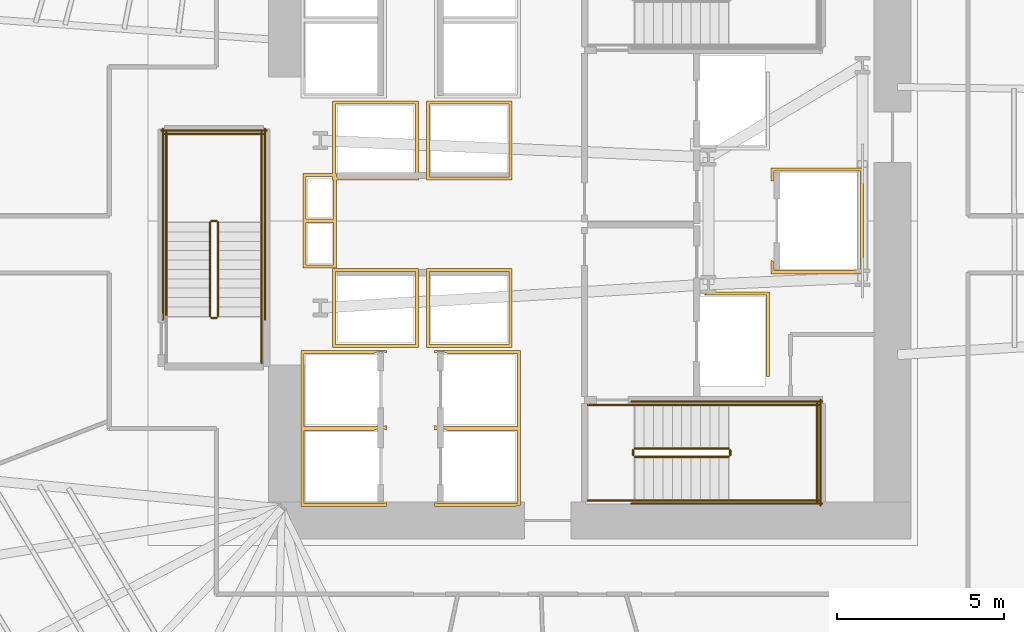
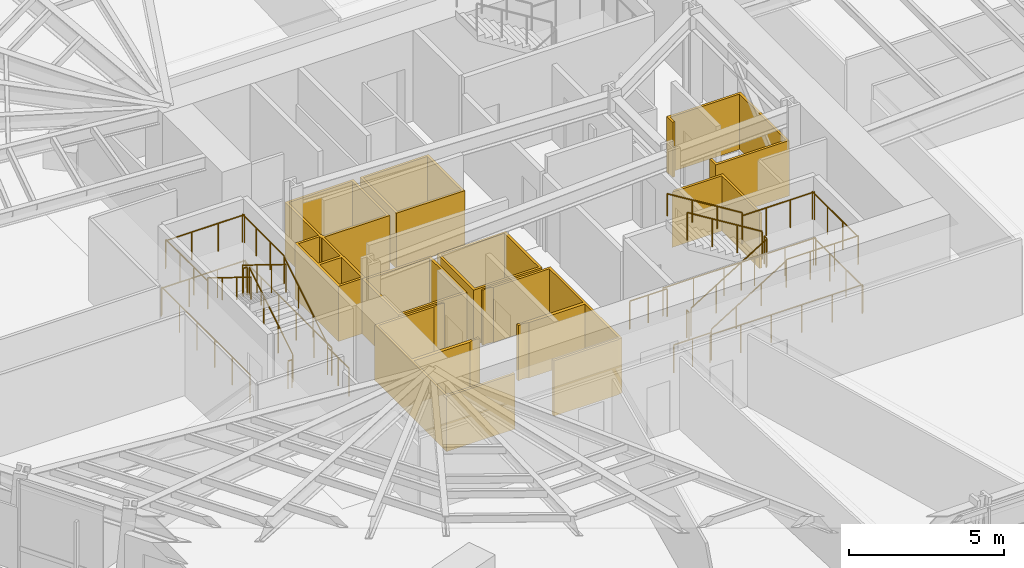
# One storey, part 13 of 18: 27 railings, 8 coverings.
"""IFC4 building model written with IfcOpenShell, lengths in metres."""

from ifc_helpers import new_model, si_unit, direction, frame, origin, origin_2d, place, context, subcontext, project, spatial, polyline, circle, outline, extrude, material, layer, layer_set, type_object, element, save


model = new_model("IFC4")

# Units and contexts
model_context = context("Model", 3, precision=1e-05, world=origin(), true_north=direction((0.0, 1.0)))
body_context = subcontext(model_context, "Body", "Model", "MODEL_VIEW")
ifc_project = project(units=[si_unit("LENGTHUNIT", "METRE"), si_unit("AREAUNIT", "SQUARE_METRE"), si_unit("VOLUMEUNIT", "CUBIC_METRE"), si_unit("PLANEANGLEUNIT", "RADIAN"), si_unit("MASSUNIT", "GRAM", prefix="KILO")], contexts=[model_context])

# Site, building, storey
site_placement = place(None, origin())
site = spatial("IfcSite", under=ifc_project, at=site_placement, CompositionType="ELEMENT")
building_placement = place(site_placement, origin())
building = spatial("IfcBuilding", under=site, at=building_placement, Name="Valkerne Bourse Tower", CompositionType="ELEMENT")
storey_placement = place(building_placement, frame((0.0, 0.0, 24.0)))
storey = spatial("IfcBuildingStorey", under=building, at=storey_placement, Name="L05", CompositionType="ELEMENT", Elevation=24.0)

# Coverings
ifc_material_1 = material(Name="Gypsum Shaftwall Liner Board", Category="gypsum")
ifc_layer = layer(ifc_material_1, 0.080078125)
ifc_layer_set = layer_set([ifc_layer], Name="Gypsum Shaftwall Liner Board")
covering_type = type_object("IfcCoveringType", Name="COV-SHF-CLAD", PredefinedType="CLADDING", material=ifc_layer_set)
covering_1_placement = place(storey_placement, origin())
element("IfcCovering", 1, at=covering_1_placement, inside=storey, type_object=covering_type, Name="L05 Hoistway & Riser Shaftwall Liner 01", PredefinedType="CLADDING", context=body_context, shape_type="SweptSolid", body=[
    extrude(outline(polyline([(38.169921875, 20.830078125), (38.169921875, 23.1298828125), (40.72998046875, 23.1298828125), (40.72998046875, 23.052001953125), (40.72216796875, 23.0556640625), (40.6806640625, 23.070556640625), (40.6376953125, 23.081298828125), (40.593994140625, 23.087890625), (40.550048828125, 23.090087890625), (40.505859375, 23.087890625), (40.462158203125, 23.081298828125), (40.41943359375, 23.070556640625), (40.377685546875, 23.0556640625), (40.344482421875, 23.0400390625), (38.260009765625, 23.0400390625), (38.260009765625, 20.860107421875), (40.456787109375, 20.860107421875), (40.462158203125, 20.858642578125), (40.505859375, 20.852294921875), (40.550048828125, 20.85009765625), (40.593994140625, 20.852294921875), (40.6376953125, 20.858642578125), (40.6806640625, 20.869384765625), (40.72216796875, 20.88427734375), (40.72998046875, 20.887939453125), (40.72998046875, 20.830078125), (40.72998046875, 20.77001953125), (40.72998046875, 20.752197265625), (40.72216796875, 20.755615234375), (40.6806640625, 20.7705078125), (40.6376953125, 20.781494140625), (40.593994140625, 20.787841796875), (40.550048828125, 20.7900390625), (40.505859375, 20.787841796875), (40.462158203125, 20.781494140625), (40.41943359375, 20.7705078125), (40.377685546875, 20.755615234375), (40.344482421875, 20.739990234375), (38.260009765625, 20.739990234375), (38.260009765625, 18.56005859375), (40.456787109375, 18.56005859375), (40.462158203125, 18.55859375), (40.505859375, 18.55224609375), (40.550048828125, 18.550048828125), (40.593994140625, 18.55224609375), (40.6376953125, 18.55859375), (40.6806640625, 18.5693359375), (40.72216796875, 18.584228515625), (40.72998046875, 18.587890625), (40.72998046875, 18.469970703125), (38.169921875, 18.469970703125), (38.169921875, 20.77001953125), (38.169921875, 20.830078125)])), origin(), (0.0, 0.0, 1.0), 2.179931640625),
])
covering_2_placement = place(storey_placement, origin())
element("IfcCovering", 2, at=covering_2_placement, inside=storey, type_object=covering_type, Name="L05 Hoistway & Riser Shaftwall Liner 02", PredefinedType="CLADDING", context=body_context, shape_type="SweptSolid", body=[
    extrude(outline(polyline([(39.1201171875, 23.219970703125), (39.1201171875, 25.580078125), (41.679931640625, 25.580078125), (41.679931640625, 23.219970703125), (39.1201171875, 23.219970703125)]), holes=[polyline([(39.2099609375, 23.31005859375), (41.590087890625, 23.31005859375), (41.590087890625, 25.489990234375), (39.2099609375, 25.489990234375), (39.2099609375, 23.31005859375)])]), origin(), (0.0, 0.0, 1.0), 2.179931640625),
])
covering_3_placement = place(storey_placement, origin())
element("IfcCovering", 3, at=covering_3_placement, inside=storey, type_object=covering_type, Name="L05 Hoistway & Riser Shaftwall Liner 03", PredefinedType="CLADDING", context=body_context, shape_type="SweptSolid", body=[
    extrude(outline(polyline([(38.239990234375, 28.409912109375), (39.1201171875, 28.409912109375), (39.1201171875, 30.580078125), (41.679931640625, 30.580078125), (41.679931640625, 28.219970703125), (39.239990234375, 28.219970703125), (39.239990234375, 27.0400390625), (39.239990234375, 26.9599609375), (39.239990234375, 25.590087890625), (38.239990234375, 25.590087890625), (38.239990234375, 26.9599609375), (38.239990234375, 27.0400390625), (38.239990234375, 28.409912109375)]), holes=[polyline([(41.590087890625, 28.31005859375), (41.590087890625, 30.489990234375), (39.2099609375, 30.489990234375), (39.2099609375, 28.409912109375), (39.239990234375, 28.409912109375), (39.239990234375, 28.31005859375), (41.590087890625, 28.31005859375)]), polyline([(38.330078125, 26.949951171875), (38.330078125, 25.679931640625), (39.14990234375, 25.679931640625), (39.14990234375, 26.949951171875), (38.330078125, 26.949951171875)]), polyline([(39.1201171875, 28.219970703125), (39.1201171875, 28.320068359375), (38.330078125, 28.320068359375), (38.330078125, 27.050048828125), (39.14990234375, 27.050048828125), (39.14990234375, 28.219970703125), (39.1201171875, 28.219970703125)])]), origin(), (0.0, 0.0, 1.0), 2.179931640625),
])
covering_4_placement = place(storey_placement, origin())
element("IfcCovering", 4, at=covering_4_placement, inside=storey, type_object=covering_type, Name="L05 Hoistway & Riser Shaftwall Liner 05", PredefinedType="CLADDING", context=body_context, shape_type="SweptSolid", body=[
    extrude(outline(polyline([(42.169921875, 20.887939453125), (42.177734375, 20.88427734375), (42.219482421875, 20.869384765625), (42.26220703125, 20.858642578125), (42.305908203125, 20.852294921875), (42.35009765625, 20.85009765625), (42.39404296875, 20.852294921875), (42.437744140625, 20.858642578125), (42.443115234375, 20.860107421875), (44.639892578125, 20.860107421875), (44.639892578125, 23.0400390625), (42.555419921875, 23.0400390625), (42.522216796875, 23.0556640625), (42.480712890625, 23.070556640625), (42.437744140625, 23.081298828125), (42.39404296875, 23.087890625), (42.35009765625, 23.090087890625), (42.305908203125, 23.087890625), (42.26220703125, 23.081298828125), (42.219482421875, 23.070556640625), (42.177734375, 23.0556640625), (42.169921875, 23.052001953125), (42.169921875, 23.1298828125), (44.72998046875, 23.1298828125), (44.72998046875, 20.830078125), (44.72998046875, 20.77001953125), (44.72998046875, 18.5), (44.685791015625, 18.497802734375), (44.64208984375, 18.491455078125), (44.599365234375, 18.480712890625), (44.569580078125, 18.469970703125), (42.169921875, 18.469970703125), (42.169921875, 18.587890625), (42.177734375, 18.584228515625), (42.219482421875, 18.5693359375), (42.26220703125, 18.55859375), (42.305908203125, 18.55224609375), (42.35009765625, 18.550048828125), (42.39404296875, 18.55224609375), (42.437744140625, 18.55859375), (42.443115234375, 18.56005859375), (44.639892578125, 18.56005859375), (44.639892578125, 20.739990234375), (42.555419921875, 20.739990234375), (42.522216796875, 20.755615234375), (42.480712890625, 20.7705078125), (42.437744140625, 20.781494140625), (42.39404296875, 20.787841796875), (42.35009765625, 20.7900390625), (42.305908203125, 20.787841796875), (42.26220703125, 20.781494140625), (42.219482421875, 20.7705078125), (42.177734375, 20.755615234375), (42.169921875, 20.752197265625), (42.169921875, 20.77001953125), (42.169921875, 20.830078125), (42.169921875, 20.887939453125)])), origin(), (0.0, 0.0, 1.0), 2.179931640625),
])
covering_5_placement = place(storey_placement, origin())
element("IfcCovering", 5, at=covering_5_placement, inside=storey, type_object=covering_type, Name="L05 Hoistway & Riser Shaftwall Liner 06", PredefinedType="CLADDING", context=body_context, shape_type="SweptSolid", body=[
    extrude(outline(polyline([(52.179931640625, 22.35009765625), (52.090087890625, 22.35009765625), (52.090087890625, 24.7900390625), (50.2236328125, 24.7900390625), (50.25, 24.805908203125), (50.285400390625, 24.83203125), (50.318115234375, 24.86181640625), (50.334716796875, 24.8798828125), (52.179931640625, 24.8798828125), (52.179931640625, 22.35009765625)])), origin(), (0.0, 0.0, 1.0), 2.179931640625),
])
covering_6_placement = place(storey_placement, origin())
element("IfcCovering", 6, at=covering_6_placement, inside=storey, type_object=covering_type, Name="L05 Hoistway & Riser Shaftwall Liner 08", PredefinedType="CLADDING", context=body_context, shape_type="SweptSolid", body=[
    extrude(outline(polyline([(41.919921875, 23.219970703125), (41.919921875, 25.580078125), (44.47998046875, 25.580078125), (44.47998046875, 23.219970703125), (41.919921875, 23.219970703125)]), holes=[polyline([(42.010009765625, 23.31005859375), (44.389892578125, 23.31005859375), (44.389892578125, 25.489990234375), (42.010009765625, 25.489990234375), (42.010009765625, 23.31005859375)])]), origin(), (0.0, 0.0, 1.0), 2.179931640625),
])
covering_7_placement = place(storey_placement, origin())
element("IfcCovering", 7, at=covering_7_placement, inside=storey, type_object=covering_type, Name="L05 Hoistway & Riser Shaftwall Liner 09", PredefinedType="CLADDING", context=body_context, shape_type="SweptSolid", body=[
    extrude(outline(polyline([(52.219970703125, 25.419921875), (52.219970703125, 25.81787109375), (52.227783203125, 25.814208984375), (52.269287109375, 25.79931640625), (52.31005859375, 25.789306640625), (52.31005859375, 25.510009765625), (54.889892578125, 25.510009765625), (54.889892578125, 28.489990234375), (52.31005859375, 28.489990234375), (52.31005859375, 28.210693359375), (52.269287109375, 28.20068359375), (52.227783203125, 28.185791015625), (52.219970703125, 28.18212890625), (52.219970703125, 28.580078125), (54.97998046875, 28.580078125), (54.97998046875, 25.419921875), (52.219970703125, 25.419921875)])), origin(), (0.0, 0.0, 1.0), 2.179931640625),
])
covering_8_placement = place(storey_placement, origin())
element("IfcCovering", 8, at=covering_8_placement, inside=storey, type_object=covering_type, Name="L05 Hoistway & Riser Shaftwall Liner 10", PredefinedType="CLADDING", context=body_context, shape_type="SweptSolid", body=[
    extrude(outline(polyline([(44.47998046875, 28.219970703125), (41.919921875, 28.219970703125), (41.919921875, 30.580078125), (44.47998046875, 30.580078125), (44.47998046875, 28.219970703125)]), holes=[polyline([(42.010009765625, 30.489990234375), (42.010009765625, 28.31005859375), (44.389892578125, 28.31005859375), (44.389892578125, 30.489990234375), (42.010009765625, 30.489990234375)])]), origin(), (0.0, 0.0, 1.0), 2.179931640625),
])

# Railings
ifc_material_2 = material(Name="Galvanised Painted Steel", Category="steel")
railing_type_1 = type_object("IfcRailingType", Name="RLG-ST-GUARD-1120", PredefinedType="GUARDRAIL", material=ifc_material_2)
railing_1_placement = place(storey_placement, frame((48.14990234375, 19.949951171875, 0.172607421875)))
element("IfcRailing", 9, at=railing_1_placement, inside=storey, type_object=railing_type_1, Name="L05 ST-1 stair guard 1", PredefinedType="GUARDRAIL", context=body_context, shape_type="SweptSolid", body=[
    extrude(circle(Radius=0.02392578125, at=origin_2d()), frame((0.0, 0.0, 1.09619140625), z_axis=(0.851089632645, 0.0, 0.525020415988), x_axis=(0.0, 1.0, 0.0)), (0.0, 0.0, 1.0), 3.2900390625),
    extrude(circle(Radius=0.02099609375, at=origin_2d()), origin(), (0.0, 0.0, 1.0), 1.072021484375),
    extrude(circle(Radius=0.02099609375, at=origin_2d()), frame((0.933349609375, 0.0, 0.57568359375)), (0.0, 0.0, 1.0), 1.072021484375),
    extrude(circle(Radius=0.02099609375, at=origin_2d()), frame((1.86669921875, 0.0, 1.151611328125)), (0.0, 0.0, 1.0), 1.072021484375),
    extrude(circle(Radius=0.02099609375, at=origin_2d()), frame((2.800048828125, 0.0, 1.727294921875)), (0.0, 0.0, 1.0), 1.072021484375),
])
railing_2_placement = place(storey_placement, frame((51.0, 20.0, 1.89990234375)))
element("IfcRailing", 10, at=railing_2_placement, inside=storey, type_object=railing_type_1, Name="L05 ST-1 stair guard 2", PredefinedType="GUARDRAIL", context=body_context, shape_type="SweptSolid", body=[
    extrude(circle(Radius=0.02392578125, at=origin_2d()), frame((0.0, 0.0, 1.09619140625), z_axis=(0.0, 1.0, 0.0), x_axis=(-1.0, 0.0, 0.0)), (0.0, 0.0, 1.0), 0.14990234375),
    extrude(circle(Radius=0.02099609375, at=origin_2d()), origin(), (0.0, 0.0, 1.0), 1.072021484375),
    extrude(circle(Radius=0.02099609375, at=origin_2d()), frame((0.0, 0.14990234375, 0.0)), (0.0, 0.0, 1.0), 1.072021484375),
])
for number, where, name in (
    (11, (50.949951171875, 18.64990234375, 1.89990234375), "L05 ST-1 stair guard 3"),
    (12, (50.949951171875, 21.5, 1.89990234375), "L05 ST-1 stair guard 4"),
):
    element("IfcRailing", number, at=place(storey_placement, frame(where)), inside=storey, type_object=railing_type_1, Name=name, PredefinedType="GUARDRAIL", context=body_context, shape_type="SweptSolid", body=[
        extrude(circle(Radius=0.02392578125, at=origin_2d()), frame((0.0, 0.0, 1.09619140625), z_axis=(1.0, 0.0, 0.0), x_axis=(0.0, 1.0, 0.0)), (0.0, 0.0, 1.0), 2.699951171875),
        extrude(circle(Radius=0.02099609375, at=origin_2d()), origin(), (0.0, 0.0, 1.0), 1.072021484375),
        extrude(circle(Radius=0.02099609375, at=origin_2d()), frame((0.89990234375, 0.0, 0.0)), (0.0, 0.0, 1.0), 1.072021484375),
        extrude(circle(Radius=0.02099609375, at=origin_2d()), frame((1.800048828125, 0.0, 0.0)), (0.0, 0.0, 1.0), 1.072021484375),
        extrude(circle(Radius=0.02099609375, at=origin_2d()), frame((2.699951171875, 0.0, 0.0)), (0.0, 0.0, 1.0), 1.072021484375),
    ])
railing_3_placement = place(storey_placement, frame((53.60009765625, 18.60009765625, 1.89990234375)))
element("IfcRailing", 13, at=railing_3_placement, inside=storey, type_object=railing_type_1, Name="L05 ST-1 stair guard 5", PredefinedType="GUARDRAIL", context=body_context, shape_type="SweptSolid", body=[
    extrude(circle(Radius=0.02392578125, at=origin_2d()), frame((0.0, 0.0, 1.09619140625), z_axis=(0.0, 1.0, 0.0), x_axis=(-1.0, 0.0, 0.0)), (0.0, 0.0, 1.0), 2.949951171875),
    extrude(circle(Radius=0.02099609375, at=origin_2d()), origin(), (0.0, 0.0, 1.0), 1.072021484375),
    extrude(circle(Radius=0.02099609375, at=origin_2d()), frame((0.0, 0.9833984375, 0.0)), (0.0, 0.0, 1.0), 1.072021484375),
    extrude(circle(Radius=0.02099609375, at=origin_2d()), frame((0.0, 1.966552734375, 0.0)), (0.0, 0.0, 1.0), 1.072021484375),
    extrude(circle(Radius=0.02099609375, at=origin_2d()), frame((0.0, 2.949951171875, 0.0)), (0.0, 0.0, 1.0), 1.072021484375),
])
railing_4_placement = place(storey_placement, frame((50.949951171875, 20.199951171875, 2.07275390625)))
element("IfcRailing", 14, at=railing_4_placement, inside=storey, type_object=railing_type_1, Name="L05 ST-1 stair guard 6", PredefinedType="GUARDRAIL", context=body_context, shape_type="SweptSolid", body=[
    extrude(circle(Radius=0.02392578125, at=origin_2d()), frame((0.0, 0.0, 1.09619140625), z_axis=(-0.851089632645, 0.0, 0.525020415988), x_axis=(0.0, -1.0, 0.0)), (0.0, 0.0, 1.0), 3.2900390625),
    extrude(circle(Radius=0.02099609375, at=origin_2d()), origin(), (0.0, 0.0, 1.0), 1.072021484375),
    extrude(circle(Radius=0.02099609375, at=origin_2d()), frame((-0.933349609375, 0.0, 0.57568359375)), (0.0, 0.0, 1.0), 1.072021484375),
    extrude(circle(Radius=0.02099609375, at=origin_2d()), frame((-1.86669921875, 0.0, 1.151611328125)), (0.0, 0.0, 1.0), 1.072021484375),
    extrude(circle(Radius=0.02099609375, at=origin_2d()), frame((-2.800048828125, 0.0, 1.727294921875)), (0.0, 0.0, 1.0), 1.072021484375),
])
railing_5_placement = place(storey_placement, frame((48.10009765625, 20.0, 0.0)))
element("IfcRailing", 15, at=railing_5_placement, inside=storey, type_object=railing_type_1, Name="L05 ST-1 stair guard 7", PredefinedType="GUARDRAIL", context=body_context, shape_type="SweptSolid", body=[
    extrude(circle(Radius=0.02392578125, at=origin_2d()), frame((0.0, 0.0, 1.09619140625), z_axis=(0.0, 1.0, 0.0), x_axis=(-1.0, 0.0, 0.0)), (0.0, 0.0, 1.0), 0.14990234375),
    extrude(circle(Radius=0.02099609375, at=origin_2d()), origin(), (0.0, 0.0, 1.0), 1.072021484375),
    extrude(circle(Radius=0.02099609375, at=origin_2d()), frame((0.0, 0.14990234375, 0.0)), (0.0, 0.0, 1.0), 1.072021484375),
])
for number, where, name in (
    (16, (46.75, 18.64990234375, 0.0), "L05 ST-1 stair guard 8"),
    (17, (46.75, 21.5, 0.0), "L05 ST-1 stair guard 9"),
):
    element("IfcRailing", number, at=place(storey_placement, frame(where)), inside=storey, type_object=railing_type_1, Name=name, PredefinedType="GUARDRAIL", context=body_context, shape_type="SweptSolid", body=[
        extrude(circle(Radius=0.02392578125, at=origin_2d()), frame((0.0, 0.0, 1.09619140625), z_axis=(1.0, 0.0, 0.0), x_axis=(0.0, 1.0, 0.0)), (0.0, 0.0, 1.0), 1.39990234375),
        extrude(circle(Radius=0.02099609375, at=origin_2d()), origin(), (0.0, 0.0, 1.0), 1.072021484375),
        extrude(circle(Radius=0.02099609375, at=origin_2d()), frame((0.699951171875, 0.0, 0.0)), (0.0, 0.0, 1.0), 1.072021484375),
        extrude(circle(Radius=0.02099609375, at=origin_2d()), frame((1.39990234375, 0.0, 0.0)), (0.0, 0.0, 1.0), 1.072021484375),
    ])
for number, where, name in (
    (18, (48.050048828125, 18.550048828125, 0.0), "L05 ST-1 stair guard 10"),
    (19, (48.050048828125, 21.60009765625, 0.0), "L05 ST-1 stair guard 11"),
):
    element("IfcRailing", number, at=place(storey_placement, frame(where)), inside=storey, type_object=railing_type_1, Name=name, PredefinedType="GUARDRAIL", context=body_context, shape_type="SweptSolid", body=[
        extrude(circle(Radius=0.02392578125, at=origin_2d()), frame((0.0, 0.0, 1.09619140625), z_axis=(1.0, 0.0, 0.0), x_axis=(0.0, 1.0, 0.0)), (0.0, 0.0, 1.0), 5.699951171875),
        extrude(circle(Radius=0.02099609375, at=origin_2d()), origin(), (0.0, 0.0, 1.0), 1.072021484375),
        extrude(circle(Radius=0.02099609375, at=origin_2d()), frame((1.139892578125, 0.0, 0.0)), (0.0, 0.0, 1.0), 1.072021484375),
        extrude(circle(Radius=0.02099609375, at=origin_2d()), frame((2.280029296875, 0.0, 0.0)), (0.0, 0.0, 1.0), 1.072021484375),
        extrude(circle(Radius=0.02099609375, at=origin_2d()), frame((3.419921875, 0.0, 0.0)), (0.0, 0.0, 1.0), 1.072021484375),
        extrude(circle(Radius=0.02099609375, at=origin_2d()), frame((4.56005859375, 0.0, 0.0)), (0.0, 0.0, 1.0), 1.072021484375),
        extrude(circle(Radius=0.02099609375, at=origin_2d()), frame((5.699951171875, 0.0, 0.0)), (0.0, 0.0, 1.0), 1.072021484375),
    ])
railing_6_placement = place(storey_placement, frame((53.699951171875, 18.5, 0.0)))
element("IfcRailing", 20, at=railing_6_placement, inside=storey, type_object=railing_type_1, Name="L05 ST-1 stair guard 12", PredefinedType="GUARDRAIL", context=body_context, shape_type="SweptSolid", body=[
    extrude(circle(Radius=0.02392578125, at=origin_2d()), frame((0.0, 0.0, 1.09619140625), z_axis=(0.0, 1.0, 0.0), x_axis=(-1.0, 0.0, 0.0)), (0.0, 0.0, 1.0), 3.14990234375),
    extrude(circle(Radius=0.02099609375, at=origin_2d()), origin(), (0.0, 0.0, 1.0), 1.072021484375),
    extrude(circle(Radius=0.02099609375, at=origin_2d()), frame((0.0, 1.050048828125, 0.0)), (0.0, 0.0, 1.0), 1.072021484375),
    extrude(circle(Radius=0.02099609375, at=origin_2d()), frame((0.0, 2.099853515625, 0.0)), (0.0, 0.0, 1.0), 1.072021484375),
    extrude(circle(Radius=0.02099609375, at=origin_2d()), frame((0.0, 3.14990234375, 0.0)), (0.0, 0.0, 1.0), 1.072021484375),
])
railing_7_placement = place(storey_placement, frame((35.699951171875, 24.14990234375, 0.172607421875)))
element("IfcRailing", 21, at=railing_7_placement, inside=storey, type_object=railing_type_1, Name="L05 ST-3 stair guard 1", PredefinedType="GUARDRAIL", context=body_context, shape_type="SweptSolid", body=[
    extrude(circle(Radius=0.02392578125, at=origin_2d()), frame((0.0, 0.0, 1.09619140625), z_axis=(0.0, 0.851089632645, 0.525020415988), x_axis=(-1.0, 0.0, 0.0)), (0.0, 0.0, 1.0), 3.2900390625),
    extrude(circle(Radius=0.02099609375, at=origin_2d()), origin(), (0.0, 0.0, 1.0), 1.072021484375),
    extrude(circle(Radius=0.02099609375, at=origin_2d()), frame((0.0, 0.933349609375, 0.57568359375)), (0.0, 0.0, 1.0), 1.072021484375),
    extrude(circle(Radius=0.02099609375, at=origin_2d()), frame((0.0, 1.86669921875, 1.151611328125)), (0.0, 0.0, 1.0), 1.072021484375),
    extrude(circle(Radius=0.02099609375, at=origin_2d()), frame((0.0, 2.800048828125, 1.727294921875)), (0.0, 0.0, 1.0), 1.072021484375),
])
railing_8_placement = place(storey_placement, frame((35.64990234375, 27.0, 1.89990234375)))
element("IfcRailing", 22, at=railing_8_placement, inside=storey, type_object=railing_type_1, Name="L05 ST-3 stair guard 2", PredefinedType="GUARDRAIL", context=body_context, shape_type="SweptSolid", body=[
    extrude(circle(Radius=0.02392578125, at=origin_2d()), frame((0.0, 0.0, 1.09619140625), z_axis=(-1.0, 0.0, 0.0), x_axis=(0.0, -1.0, 0.0)), (0.0, 0.0, 1.0), 0.14990234375),
    extrude(circle(Radius=0.02099609375, at=origin_2d()), origin(), (0.0, 0.0, 1.0), 1.072021484375),
    extrude(circle(Radius=0.02099609375, at=origin_2d()), frame((-0.14990234375, 0.0, 0.0)), (0.0, 0.0, 1.0), 1.072021484375),
])
for number, where, name in (
    (23, (37.0, 26.949951171875, 1.89990234375), "L05 ST-3 stair guard 3"),
    (24, (34.14990234375, 26.949951171875, 1.89990234375), "L05 ST-3 stair guard 4"),
):
    element("IfcRailing", number, at=place(storey_placement, frame(where)), inside=storey, type_object=railing_type_1, Name=name, PredefinedType="GUARDRAIL", context=body_context, shape_type="SweptSolid", body=[
        extrude(circle(Radius=0.02392578125, at=origin_2d()), frame((0.0, 0.0, 1.09619140625), z_axis=(0.0, 1.0, 0.0), x_axis=(-1.0, 0.0, 0.0)), (0.0, 0.0, 1.0), 2.699951171875),
        extrude(circle(Radius=0.02099609375, at=origin_2d()), origin(), (0.0, 0.0, 1.0), 1.072021484375),
        extrude(circle(Radius=0.02099609375, at=origin_2d()), frame((0.0, 0.89990234375, 0.0)), (0.0, 0.0, 1.0), 1.072021484375),
        extrude(circle(Radius=0.02099609375, at=origin_2d()), frame((0.0, 1.800048828125, 0.0)), (0.0, 0.0, 1.0), 1.072021484375),
        extrude(circle(Radius=0.02099609375, at=origin_2d()), frame((0.0, 2.699951171875, 0.0)), (0.0, 0.0, 1.0), 1.072021484375),
    ])
railing_9_placement = place(storey_placement, frame((37.050048828125, 29.60009765625, 1.89990234375)))
element("IfcRailing", 25, at=railing_9_placement, inside=storey, type_object=railing_type_1, Name="L05 ST-3 stair guard 5", PredefinedType="GUARDRAIL", context=body_context, shape_type="SweptSolid", body=[
    extrude(circle(Radius=0.02392578125, at=origin_2d()), frame((0.0, 0.0, 1.09619140625), z_axis=(-1.0, 0.0, 0.0), x_axis=(0.0, -1.0, 0.0)), (0.0, 0.0, 1.0), 2.949951171875),
    extrude(circle(Radius=0.02099609375, at=origin_2d()), origin(), (0.0, 0.0, 1.0), 1.072021484375),
    extrude(circle(Radius=0.02099609375, at=origin_2d()), frame((-0.9833984375, 0.0, 0.0)), (0.0, 0.0, 1.0), 1.072021484375),
    extrude(circle(Radius=0.02099609375, at=origin_2d()), frame((-1.966552734375, 0.0, 0.0)), (0.0, 0.0, 1.0), 1.072021484375),
    extrude(circle(Radius=0.02099609375, at=origin_2d()), frame((-2.949951171875, 0.0, 0.0)), (0.0, 0.0, 1.0), 1.072021484375),
])
railing_10_placement = place(storey_placement, frame((35.449951171875, 26.949951171875, 2.07275390625)))
element("IfcRailing", 26, at=railing_10_placement, inside=storey, type_object=railing_type_1, Name="L05 ST-3 stair guard 6", PredefinedType="GUARDRAIL", context=body_context, shape_type="SweptSolid", body=[
    extrude(circle(Radius=0.02392578125, at=origin_2d()), frame((0.0, 0.0, 1.09619140625), z_axis=(0.0, -0.851089632645, 0.525020415988), x_axis=(1.0, 0.0, 0.0)), (0.0, 0.0, 1.0), 3.2900390625),
    extrude(circle(Radius=0.02099609375, at=origin_2d()), origin(), (0.0, 0.0, 1.0), 1.072021484375),
    extrude(circle(Radius=0.02099609375, at=origin_2d()), frame((0.0, -0.933349609375, 0.57568359375)), (0.0, 0.0, 1.0), 1.072021484375),
    extrude(circle(Radius=0.02099609375, at=origin_2d()), frame((0.0, -1.86669921875, 1.151611328125)), (0.0, 0.0, 1.0), 1.072021484375),
    extrude(circle(Radius=0.02099609375, at=origin_2d()), frame((0.0, -2.800048828125, 1.727294921875)), (0.0, 0.0, 1.0), 1.072021484375),
])
railing_11_placement = place(storey_placement, frame((35.64990234375, 24.10009765625, 0.0)))
element("IfcRailing", 27, at=railing_11_placement, inside=storey, type_object=railing_type_1, Name="L05 ST-3 stair guard 7", PredefinedType="GUARDRAIL", context=body_context, shape_type="SweptSolid", body=[
    extrude(circle(Radius=0.02392578125, at=origin_2d()), frame((0.0, 0.0, 1.09619140625), z_axis=(-1.0, 0.0, 0.0), x_axis=(0.0, -1.0, 0.0)), (0.0, 0.0, 1.0), 0.14990234375),
    extrude(circle(Radius=0.02099609375, at=origin_2d()), origin(), (0.0, 0.0, 1.0), 1.072021484375),
    extrude(circle(Radius=0.02099609375, at=origin_2d()), frame((-0.14990234375, 0.0, 0.0)), (0.0, 0.0, 1.0), 1.072021484375),
])
railing_12_placement = place(storey_placement, frame((37.0, 22.75, 0.0)))
element("IfcRailing", 28, at=railing_12_placement, inside=storey, type_object=railing_type_1, Name="L05 ST-3 stair guard 8", PredefinedType="GUARDRAIL", context=body_context, shape_type="SweptSolid", body=[
    extrude(circle(Radius=0.02392578125, at=origin_2d()), frame((0.0, 0.0, 1.09619140625), z_axis=(0.0, 1.0, 0.0), x_axis=(-1.0, 0.0, 0.0)), (0.0, 0.0, 1.0), 1.39990234375),
    extrude(circle(Radius=0.02099609375, at=origin_2d()), origin(), (0.0, 0.0, 1.0), 1.072021484375),
    extrude(circle(Radius=0.02099609375, at=origin_2d()), frame((0.0, 0.699951171875, 0.0)), (0.0, 0.0, 1.0), 1.072021484375),
    extrude(circle(Radius=0.02099609375, at=origin_2d()), frame((0.0, 1.39990234375, 0.0)), (0.0, 0.0, 1.0), 1.072021484375),
])
for number, where, name in (
    (29, (37.10009765625, 24.050048828125, 0.0), "L05 ST-3 stair guard 10"),
    (30, (34.050048828125, 24.050048828125, 0.0), "L05 ST-3 stair guard 11"),
):
    element("IfcRailing", number, at=place(storey_placement, frame(where)), inside=storey, type_object=railing_type_1, Name=name, PredefinedType="GUARDRAIL", context=body_context, shape_type="SweptSolid", body=[
        extrude(circle(Radius=0.02392578125, at=origin_2d()), frame((0.0, 0.0, 1.09619140625), z_axis=(0.0, 1.0, 0.0), x_axis=(-1.0, 0.0, 0.0)), (0.0, 0.0, 1.0), 5.699951171875),
        extrude(circle(Radius=0.02099609375, at=origin_2d()), origin(), (0.0, 0.0, 1.0), 1.072021484375),
        extrude(circle(Radius=0.02099609375, at=origin_2d()), frame((0.0, 1.139892578125, 0.0)), (0.0, 0.0, 1.0), 1.072021484375),
        extrude(circle(Radius=0.02099609375, at=origin_2d()), frame((0.0, 2.280029296875, 0.0)), (0.0, 0.0, 1.0), 1.072021484375),
        extrude(circle(Radius=0.02099609375, at=origin_2d()), frame((0.0, 3.419921875, 0.0)), (0.0, 0.0, 1.0), 1.072021484375),
        extrude(circle(Radius=0.02099609375, at=origin_2d()), frame((0.0, 4.56005859375, 0.0)), (0.0, 0.0, 1.0), 1.072021484375),
        extrude(circle(Radius=0.02099609375, at=origin_2d()), frame((0.0, 5.699951171875, 0.0)), (0.0, 0.0, 1.0), 1.072021484375),
    ])
railing_13_placement = place(storey_placement, frame((37.14990234375, 29.699951171875, 0.0)))
element("IfcRailing", 31, at=railing_13_placement, inside=storey, type_object=railing_type_1, Name="L05 ST-3 stair guard 12", PredefinedType="GUARDRAIL", context=body_context, shape_type="SweptSolid", body=[
    extrude(circle(Radius=0.02392578125, at=origin_2d()), frame((0.0, 0.0, 1.09619140625), z_axis=(-1.0, 0.0, 0.0), x_axis=(0.0, -1.0, 0.0)), (0.0, 0.0, 1.0), 3.14990234375),
    extrude(circle(Radius=0.02099609375, at=origin_2d()), origin(), (0.0, 0.0, 1.0), 1.072021484375),
    extrude(circle(Radius=0.02099609375, at=origin_2d()), frame((-1.050048828125, 0.0, 0.0)), (0.0, 0.0, 1.0), 1.072021484375),
    extrude(circle(Radius=0.02099609375, at=origin_2d()), frame((-2.099853515625, 0.0, 0.0)), (0.0, 0.0, 1.0), 1.072021484375),
    extrude(circle(Radius=0.02099609375, at=origin_2d()), frame((-3.14990234375, 0.0, 0.0)), (0.0, 0.0, 1.0), 1.072021484375),
])
ifc_material_3 = material(Name="Stainless Steel AISI 316", Category="steel")
railing_type_2 = type_object("IfcRailingType", Name="RLG-ST-HANDRAIL-900", PredefinedType="HANDRAIL", material=ifc_material_3)
railing_14_placement = place(storey_placement, frame((48.14990234375, 18.64990234375, 0.345458984375)))
element("IfcRailing", 32, at=railing_14_placement, inside=storey, type_object=railing_type_2, Name="L05 ST-1 stair handrail 1", PredefinedType="HANDRAIL", context=body_context, shape_type="SweptSolid", body=[
    extrude(circle(Radius=0.02392578125, at=origin_2d()), frame((0.0, 0.0, 0.8759765625), z_axis=(0.851089632645, 0.0, 0.525020415988), x_axis=(0.0, 1.0, 0.0)), (0.0, 0.0, 1.0), 3.2900390625),
    extrude(circle(Radius=0.02099609375, at=origin_2d()), origin(), (0.0, 0.0, 1.0), 0.851806640625),
    extrude(circle(Radius=0.02099609375, at=origin_2d()), frame((0.933349609375, 0.0, 0.57568359375)), (0.0, 0.0, 1.0), 0.851806640625),
    extrude(circle(Radius=0.02099609375, at=origin_2d()), frame((1.86669921875, 0.0, 1.151611328125)), (0.0, 0.0, 1.0), 0.851806640625),
    extrude(circle(Radius=0.02099609375, at=origin_2d()), frame((2.800048828125, 0.0, 1.727294921875)), (0.0, 0.0, 1.0), 0.851806640625),
])
railing_15_placement = place(storey_placement, frame((50.949951171875, 21.5, 2.245361328125)))
element("IfcRailing", 33, at=railing_15_placement, inside=storey, type_object=railing_type_2, Name="L05 ST-1 stair handrail 2", PredefinedType="HANDRAIL", context=body_context, shape_type="SweptSolid", body=[
    extrude(circle(Radius=0.02392578125, at=origin_2d()), frame((0.0, 0.0, 0.8759765625), z_axis=(-0.851089632645, 0.0, 0.525020415988), x_axis=(0.0, -1.0, 0.0)), (0.0, 0.0, 1.0), 3.2900390625),
    extrude(circle(Radius=0.02099609375, at=origin_2d()), origin(), (0.0, 0.0, 1.0), 0.851806640625),
    extrude(circle(Radius=0.02099609375, at=origin_2d()), frame((-0.933349609375, 0.0, 0.57568359375)), (0.0, 0.0, 1.0), 0.851806640625),
    extrude(circle(Radius=0.02099609375, at=origin_2d()), frame((-1.86669921875, 0.0, 1.151611328125)), (0.0, 0.0, 1.0), 0.851806640625),
    extrude(circle(Radius=0.02099609375, at=origin_2d()), frame((-2.800048828125, 0.0, 1.727294921875)), (0.0, 0.0, 1.0), 0.851806640625),
])
railing_16_placement = place(storey_placement, frame((37.0, 24.14990234375, 0.345458984375)))
element("IfcRailing", 34, at=railing_16_placement, inside=storey, type_object=railing_type_2, Name="L05 ST-3 stair handrail 1", PredefinedType="HANDRAIL", context=body_context, shape_type="SweptSolid", body=[
    extrude(circle(Radius=0.02392578125, at=origin_2d()), frame((0.0, 0.0, 0.8759765625), z_axis=(0.0, 0.851089632645, 0.525020415988), x_axis=(-1.0, 0.0, 0.0)), (0.0, 0.0, 1.0), 3.2900390625),
    extrude(circle(Radius=0.02099609375, at=origin_2d()), origin(), (0.0, 0.0, 1.0), 0.851806640625),
    extrude(circle(Radius=0.02099609375, at=origin_2d()), frame((0.0, 0.933349609375, 0.57568359375)), (0.0, 0.0, 1.0), 0.851806640625),
    extrude(circle(Radius=0.02099609375, at=origin_2d()), frame((0.0, 1.86669921875, 1.151611328125)), (0.0, 0.0, 1.0), 0.851806640625),
    extrude(circle(Radius=0.02099609375, at=origin_2d()), frame((0.0, 2.800048828125, 1.727294921875)), (0.0, 0.0, 1.0), 0.851806640625),
])
railing_17_placement = place(storey_placement, frame((34.14990234375, 26.949951171875, 2.245361328125)))
element("IfcRailing", 35, at=railing_17_placement, inside=storey, type_object=railing_type_2, Name="L05 ST-3 stair handrail 2", PredefinedType="HANDRAIL", context=body_context, shape_type="SweptSolid", body=[
    extrude(circle(Radius=0.02392578125, at=origin_2d()), frame((0.0, 0.0, 0.8759765625), z_axis=(0.0, -0.851089632645, 0.525020415988), x_axis=(1.0, 0.0, 0.0)), (0.0, 0.0, 1.0), 3.2900390625),
    extrude(circle(Radius=0.02099609375, at=origin_2d()), origin(), (0.0, 0.0, 1.0), 0.851806640625),
    extrude(circle(Radius=0.02099609375, at=origin_2d()), frame((0.0, -0.933349609375, 0.57568359375)), (0.0, 0.0, 1.0), 0.851806640625),
    extrude(circle(Radius=0.02099609375, at=origin_2d()), frame((0.0, -1.86669921875, 1.151611328125)), (0.0, 0.0, 1.0), 0.851806640625),
    extrude(circle(Radius=0.02099609375, at=origin_2d()), frame((0.0, -2.800048828125, 1.727294921875)), (0.0, 0.0, 1.0), 0.851806640625),
])

save(model, "model.ifc")
